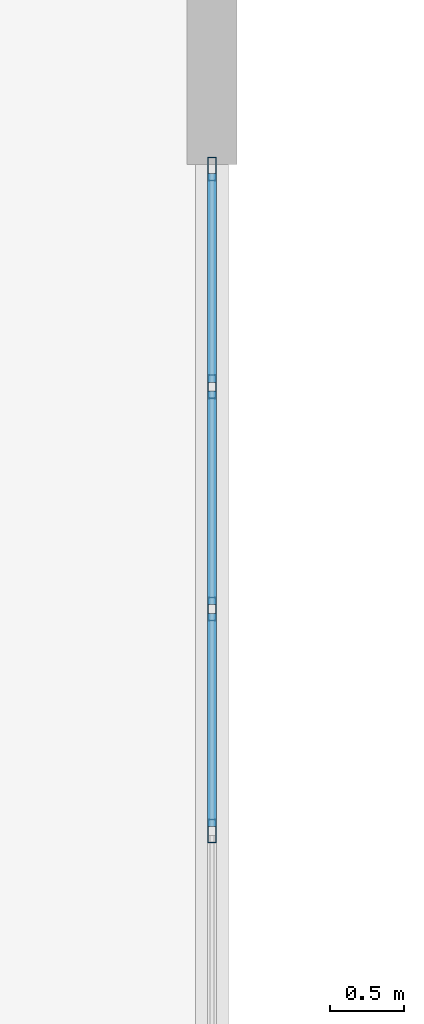
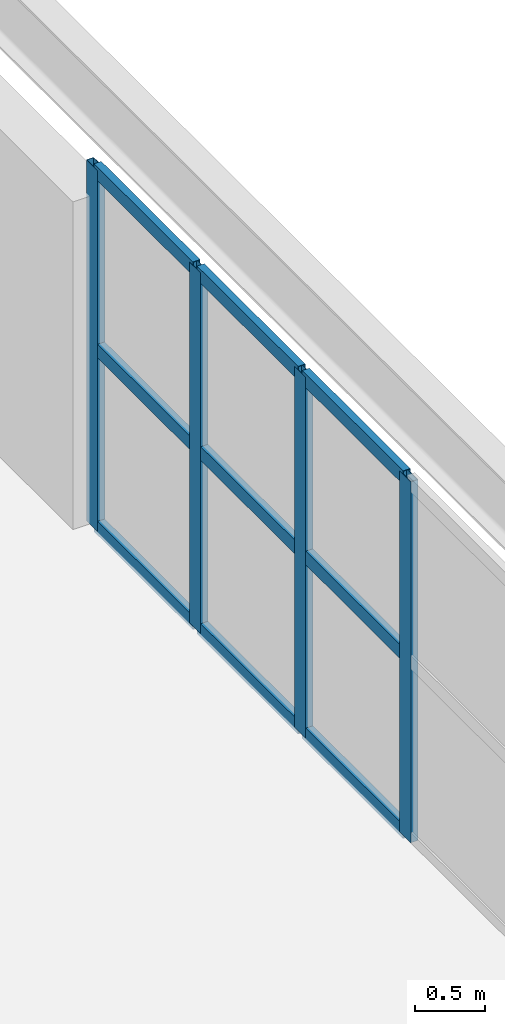
# One storey, part 53 of 90: 13 members, 1 element without a shape of its own.
"""IFC4 building model written with IfcOpenShell, lengths in metres."""

from ifc_helpers import new_model, si_unit, direction, frame, origin, origin_2d, place, context, subcontext, project, spatial, hollow_rectangle, extrude, material, layer, layer_set, material_profile, profile_set, type_object, element, aggregate, save


model = new_model("IFC4")

# Units and contexts
model_context = context("Model", 3, precision=1e-05, world=origin(), true_north=direction((0.0, 1.0)))
body_context = subcontext(model_context, "Body", "Model", "MODEL_VIEW")
ifc_project = project(units=[si_unit("LENGTHUNIT", "METRE"), si_unit("AREAUNIT", "SQUARE_METRE"), si_unit("VOLUMEUNIT", "CUBIC_METRE"), si_unit("PLANEANGLEUNIT", "RADIAN"), si_unit("MASSUNIT", "GRAM", prefix="KILO")], contexts=[model_context])

# Site, building, storey
site_placement = place(None, origin())
site = spatial("IfcSite", under=ifc_project, at=site_placement, CompositionType="ELEMENT")
building_placement = place(site_placement, origin())
building = spatial("IfcBuilding", under=site, at=building_placement, Name="Muzn Square Opera House", CompositionType="ELEMENT")
storey_placement = place(building_placement, frame((0.0, 0.0, 9.800048828125)))
storey = spatial("IfcBuildingStorey", under=building, at=storey_placement, Name="L02", CompositionType="ELEMENT", Elevation=9.800048828125)

# Curtain wall, members
ifc_material_1 = material(Name="Low-E laminated acoustic double glazing", Category="glass")
ifc_layer = layer(ifc_material_1, 0.159912109375, Name="Low-E laminated acoustic double glazing", Category="glass")
ifc_layer_set = layer_set([ifc_layer], Name="Low-E laminated acoustic double glazing")
curtain_wall_type = type_object("IfcCurtainWallType", Name="Glazed Curtain Wall RehearsalEast 12025x3150", PredefinedType="USERDEFINED", material=ifc_layer_set)
curtain_wall_placement = place(storey_placement, origin())
curtain_wall = element("IfcCurtainWall", 1, at=curtain_wall_placement, inside=storey, type_object=curtain_wall_type, Name="Glazed Curtain Wall CW-L02-125", ObjectType="GLAZED CURTAIN WALL", PredefinedType="USERDEFINED")
ifc_material_2 = material(Name="Anodised bronze aluminium 6063-T6", Category="metal")
ifc_material_profile_1 = material_profile(ifc_material_2, hollow_rectangle(XDim=0.06005859375, YDim=0.159912109375, WallThickness=0.00390625, at=origin_2d()), Name="ALU 160x60x4", Category="metal")
ifc_profile_set_1 = profile_set([ifc_material_profile_1], Name="Anodised bronze aluminium 6063-T6")
member_type_1 = type_object("IfcMemberType", Name="Curtain Wall Mullion 160x60", PredefinedType="MULLION", material=ifc_profile_set_1)
member_1_placement = place(storey_placement, frame((170.0, 106.49072265625, 0.0), z_axis=(0.0, 0.0, 1.0), x_axis=(-1.0, 0.0, 0.0)))
member_1 = element("IfcMember", 2, at=member_1_placement, type_object=member_type_1, Name="CW-RHE-120x31 mullion 6", PredefinedType="MULLION", context=body_context, shape_type="SweptSolid", body=[
    extrude(hollow_rectangle(XDim=0.06005859375, YDim=0.159912109375, WallThickness=0.00390625, at=origin_2d()), origin(), (0.0, 0.0, 1.0), 3.14990234375),
])
member_2_placement = place(storey_placement, frame((170.0, 107.99365234375, 0.0), z_axis=(0.0, 0.0, 1.0), x_axis=(-1.0, 0.0, 0.0)))
member_2 = element("IfcMember", 3, at=member_2_placement, type_object=member_type_1, Name="CW-RHE-120x31 mullion 7", PredefinedType="MULLION", context=body_context, shape_type="SweptSolid", body=[
    extrude(hollow_rectangle(XDim=0.06005859375, YDim=0.159912109375, WallThickness=0.00390625, at=origin_2d()), origin(), (0.0, 0.0, 1.0), 3.14990234375),
])
member_3_placement = place(storey_placement, frame((170.0, 109.496826171875, 0.0), z_axis=(0.0, 0.0, 1.0), x_axis=(-1.0, 0.0, 0.0)))
member_3 = element("IfcMember", 4, at=member_3_placement, type_object=member_type_1, Name="CW-RHE-120x31 mullion 8", PredefinedType="MULLION", context=body_context, shape_type="SweptSolid", body=[
    extrude(hollow_rectangle(XDim=0.06005859375, YDim=0.159912109375, WallThickness=0.00390625, at=origin_2d()), origin(), (0.0, 0.0, 1.0), 3.14990234375),
])
member_4_placement = place(storey_placement, frame((170.0, 110.969970703125, 0.0), z_axis=(0.0, 0.0, 1.0), x_axis=(-1.0, 0.0, 0.0)))
member_4 = element("IfcMember", 5, at=member_4_placement, type_object=member_type_1, Name="CW-RHE-120x31 mullion 9", PredefinedType="MULLION", context=body_context, shape_type="SweptSolid", body=[
    extrude(hollow_rectangle(XDim=0.06005859375, YDim=0.159912109375, WallThickness=0.00390625, at=origin_2d()), origin(), (0.0, 0.0, 1.0), 3.14990234375),
])
ifc_material_profile_2 = material_profile(ifc_material_2, hollow_rectangle(XDim=0.06005859375, YDim=0.1201171875, WallThickness=0.00390625, at=origin_2d()), Name="ALU 120x60x4", Category="metal")
ifc_profile_set_2 = profile_set([ifc_material_profile_2], Name="Anodised bronze aluminium 6063-T6")
member_type_2 = type_object("IfcMemberType", Name="Curtain Wall Transom 120x60", PredefinedType="USERDEFINED", material=ifc_profile_set_2)
member_5_placement = place(storey_placement, frame((170.0, 106.5205078125, 0.030029296875), z_axis=(0.0, 1.0, 0.0), x_axis=(-1.0, 0.0, 0.0)))
member_5 = element("IfcMember", 6, at=member_5_placement, type_object=member_type_2, Name="CW-RHE-120x31 transom 6.1", ObjectType="TRANSOM", PredefinedType="USERDEFINED", context=body_context, shape_type="SweptSolid", body=[
    extrude(hollow_rectangle(XDim=0.06005859375, YDim=0.1201171875, WallThickness=0.00390625, at=origin_2d()), origin(), (0.0, 0.0, 1.0), 1.443359375),
])
member_6_placement = place(storey_placement, frame((170.0, 106.5205078125, 1.574951171875), z_axis=(0.0, 1.0, 0.0), x_axis=(-1.0, 0.0, 0.0)))
member_6 = element("IfcMember", 7, at=member_6_placement, type_object=member_type_2, Name="CW-RHE-120x31 transom 6.2", ObjectType="TRANSOM", PredefinedType="USERDEFINED", context=body_context, shape_type="SweptSolid", body=[
    extrude(hollow_rectangle(XDim=0.06005859375, YDim=0.1201171875, WallThickness=0.00390625, at=origin_2d()), origin(), (0.0, 0.0, 1.0), 1.443359375),
])
member_7_placement = place(storey_placement, frame((170.0, 106.5205078125, 3.119873046875), z_axis=(0.0, 1.0, 0.0), x_axis=(-1.0, 0.0, 0.0)))
member_7 = element("IfcMember", 8, at=member_7_placement, type_object=member_type_2, Name="CW-RHE-120x31 transom 6.3", ObjectType="TRANSOM", PredefinedType="USERDEFINED", context=body_context, shape_type="SweptSolid", body=[
    extrude(hollow_rectangle(XDim=0.06005859375, YDim=0.1201171875, WallThickness=0.00390625, at=origin_2d()), origin(), (0.0, 0.0, 1.0), 1.443359375),
])
member_8_placement = place(storey_placement, frame((170.0, 108.023681640625, 0.030029296875), z_axis=(0.0, 1.0, 0.0), x_axis=(-1.0, 0.0, 0.0)))
member_8 = element("IfcMember", 9, at=member_8_placement, type_object=member_type_2, Name="CW-RHE-120x31 transom 7.1", ObjectType="TRANSOM", PredefinedType="USERDEFINED", context=body_context, shape_type="SweptSolid", body=[
    extrude(hollow_rectangle(XDim=0.06005859375, YDim=0.1201171875, WallThickness=0.00390625, at=origin_2d()), origin(), (0.0, 0.0, 1.0), 1.443115234375),
])
member_9_placement = place(storey_placement, frame((170.0, 108.023681640625, 1.574951171875), z_axis=(0.0, 1.0, 0.0), x_axis=(-1.0, 0.0, 0.0)))
member_9 = element("IfcMember", 10, at=member_9_placement, type_object=member_type_2, Name="CW-RHE-120x31 transom 7.2", ObjectType="TRANSOM", PredefinedType="USERDEFINED", context=body_context, shape_type="SweptSolid", body=[
    extrude(hollow_rectangle(XDim=0.06005859375, YDim=0.1201171875, WallThickness=0.00390625, at=origin_2d()), origin(), (0.0, 0.0, 1.0), 1.443115234375),
])
member_10_placement = place(storey_placement, frame((170.0, 108.023681640625, 3.119873046875), z_axis=(0.0, 1.0, 0.0), x_axis=(-1.0, 0.0, 0.0)))
member_10 = element("IfcMember", 11, at=member_10_placement, type_object=member_type_2, Name="CW-RHE-120x31 transom 7.3", ObjectType="TRANSOM", PredefinedType="USERDEFINED", context=body_context, shape_type="SweptSolid", body=[
    extrude(hollow_rectangle(XDim=0.06005859375, YDim=0.1201171875, WallThickness=0.00390625, at=origin_2d()), origin(), (0.0, 0.0, 1.0), 1.443115234375),
])
member_11_placement = place(storey_placement, frame((170.0, 109.52685546875, 0.030029296875), z_axis=(0.0, 1.0, 0.0), x_axis=(-1.0, 0.0, 0.0)))
member_11 = element("IfcMember", 12, at=member_11_placement, type_object=member_type_2, Name="CW-RHE-120x31 transom 8.1", ObjectType="TRANSOM", PredefinedType="USERDEFINED", context=body_context, shape_type="SweptSolid", body=[
    extrude(hollow_rectangle(XDim=0.06005859375, YDim=0.1201171875, WallThickness=0.00390625, at=origin_2d()), origin(), (0.0, 0.0, 1.0), 1.4130859375),
])
member_12_placement = place(storey_placement, frame((170.0, 109.52685546875, 1.574951171875), z_axis=(0.0, 1.0, 0.0), x_axis=(-1.0, 0.0, 0.0)))
member_12 = element("IfcMember", 13, at=member_12_placement, type_object=member_type_2, Name="CW-RHE-120x31 transom 8.2", ObjectType="TRANSOM", PredefinedType="USERDEFINED", context=body_context, shape_type="SweptSolid", body=[
    extrude(hollow_rectangle(XDim=0.06005859375, YDim=0.1201171875, WallThickness=0.00390625, at=origin_2d()), origin(), (0.0, 0.0, 1.0), 1.4130859375),
])
member_13_placement = place(storey_placement, frame((170.0, 109.52685546875, 3.119873046875), z_axis=(0.0, 1.0, 0.0), x_axis=(-1.0, 0.0, 0.0)))
member_13 = element("IfcMember", 14, at=member_13_placement, type_object=member_type_2, Name="CW-RHE-120x31 transom 8.3", ObjectType="TRANSOM", PredefinedType="USERDEFINED", context=body_context, shape_type="SweptSolid", body=[
    extrude(hollow_rectangle(XDim=0.06005859375, YDim=0.1201171875, WallThickness=0.00390625, at=origin_2d()), origin(), (0.0, 0.0, 1.0), 1.4130859375),
])
aggregate(curtain_wall, [member_1, member_2, member_3, member_4, member_5, member_6, member_7, member_8, member_9, member_10, member_11, member_12, member_13])

save(model, "model.ifc")
